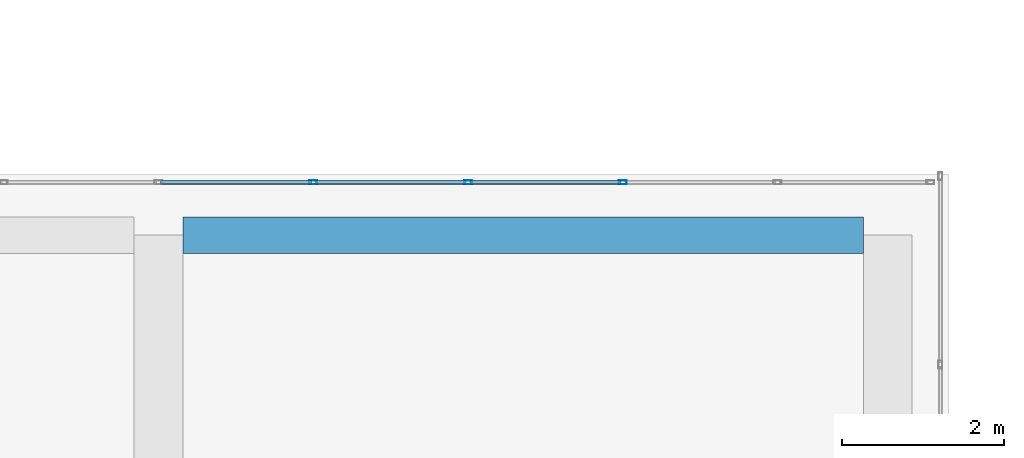
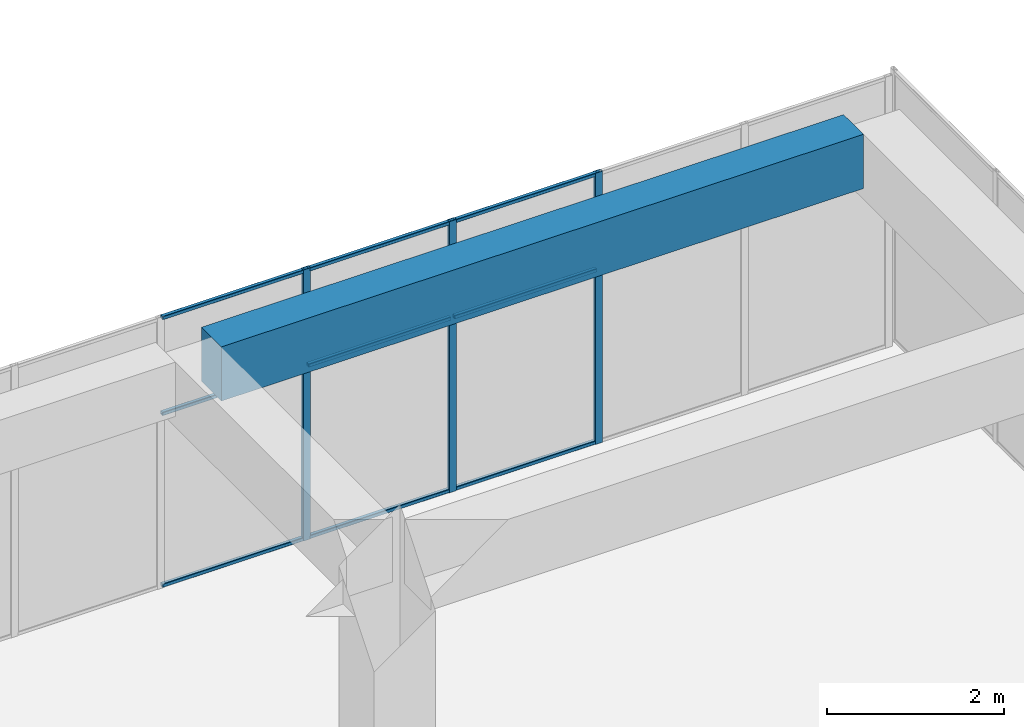
# One storey, part 33 of 66: 12 members, 1 beam, 1 element without a shape of its own.
"""IFC4 building model written with IfcOpenShell, lengths in metres."""

import ifcopenshell
import ifcopenshell.guid

model = None  # the IFC model being written
_history = None  # IfcOwnerHistory: only IFC2X3 demands one
_inside = {}  # id of a spatial element -> (the spatial element, [elements in it])
_under = {}  # id of a project, library or spatial element -> (it, [spatial elements below it])
_declared = {}  # id of a project -> (the project, [libraries it declares])
_typed = {}  # id of a type object -> (the type object, [elements of that type])
_made_of = {}  # id of a material, layer set ... -> (it, [elements and type objects made of it])


def new_model(schema):
    """Start an empty IFC model of exactly this schema.

    Asked for "IFC4X3", IfcOpenShell would pick the latest addendum, in which some entities
    have other attributes; the version numbers below select the first issue.
    IFC2X3 requires an IfcOwnerHistory on every rooted entity: one is made here for all.
    """
    global model, _history
    if schema == "IFC4X3":
        model = ifcopenshell.file(schema_version=(4, 3, 0, 0))
    else:
        model = ifcopenshell.file(schema=schema)
    _inside.clear()
    _under.clear()
    _declared.clear()
    _typed.clear()
    _made_of.clear()
    _history = None
    if model.schema == "IFC2X3":
        org = make("IfcOrganization", Name="unknown")
        user = make(
            "IfcPersonAndOrganization",
            ThePerson=make("IfcPerson", FamilyName="unknown"),
            TheOrganization=org,
        )
        app = make(
            "IfcApplication",
            ApplicationDeveloper=org,
            Version="unknown",
            ApplicationFullName="unknown",
            ApplicationIdentifier="unknown",
        )
        _history = make(
            "IfcOwnerHistory",
            OwningUser=user,
            OwningApplication=app,
            ChangeAction="ADDED",
            CreationDate=0,
        )
    return model


def make(cls, **values):
    """One entity of the class cls with the attributes given. An attribute that is None is left unset."""
    return model.create_entity(
        cls, **{name: value for name, value in values.items() if value is not None}
    )


def rooted(cls, **values):
    """An entity with a GlobalId (a new one), such as an element, a storey or a relation."""
    return make(cls, GlobalId=ifcopenshell.guid.new(), OwnerHistory=_history, **values)


def si_unit(unit_type, name, prefix=None):
    """IfcSIUnit, for example si_unit("LENGTHUNIT", "METRE", prefix="MILLI")."""
    return make("IfcSIUnit", UnitType=unit_type, Prefix=prefix, Name=name)


def assignment(units):
    """IfcUnitAssignment: the units of a project."""
    return None if units is None else make("IfcUnitAssignment", Units=units)


def point(xyz):
    """IfcCartesianPoint."""
    return None if xyz is None else make("IfcCartesianPoint", Coordinates=xyz)


def direction(xyz):
    """IfcDirection."""
    return None if xyz is None else make("IfcDirection", DirectionRatios=xyz)


def frame(location, z_axis=None, x_axis=None):
    """IfcAxis2Placement3D, a coordinate frame: its origin and axes. An axis left out is left unset."""
    return make(
        "IfcAxis2Placement3D",
        Location=point(location),
        Axis=direction(z_axis),
        RefDirection=direction(x_axis),
    )


def frame_2d(location, x_axis=None):
    """IfcAxis2Placement2D, a coordinate frame in the plane: its origin and x axis."""
    return make(
        "IfcAxis2Placement2D", Location=point(location), RefDirection=direction(x_axis)
    )


def origin():
    """The frame at (0, 0, 0) with its axes left unset."""
    return frame((0.0, 0.0, 0.0))


def origin_2d():
    """The frame at (0, 0) in the plane with its x axis left unset."""
    return frame_2d((0.0, 0.0))


def place(relative_to, where):
    """IfcLocalPlacement: puts the frame where relative to a parent placement (None: the world)."""
    return make(
        "IfcLocalPlacement", PlacementRelTo=relative_to, RelativePlacement=where
    )


def context(
    kind, dimensions, precision=None, world=None, true_north=None, identifier=None
):
    """IfcGeometricRepresentationContext, for example the 3D "Model" context."""
    return make(
        "IfcGeometricRepresentationContext",
        ContextIdentifier=identifier,
        ContextType=kind,
        CoordinateSpaceDimension=dimensions,
        Precision=precision,
        WorldCoordinateSystem=world,
        TrueNorth=true_north,
    )


def subcontext(parent, identifier, kind, view, scale=None):
    """IfcGeometricRepresentationSubContext, for example "Body" below "Model"."""
    return make(
        "IfcGeometricRepresentationSubContext",
        ContextIdentifier=identifier,
        ContextType=kind,
        ParentContext=parent,
        TargetScale=scale,
        TargetView=view,
    )


def project(units=None, contexts=None):
    """IfcProject with its units and contexts."""
    return rooted(
        "IfcProject",
        Name="project",
        RepresentationContexts=contexts,
        UnitsInContext=assignment(units),
    )


def spatial(cls, under=None, at=None, **own):
    """A site, building, storey or space (cls), placed at a placement, below another one or the project."""
    s = rooted(cls, ObjectPlacement=at, **own)
    if under is not None:
        _under.setdefault(under.id(), (under, []))[1].append(s)
    return s


def profile(cls, at=None, kind="AREA", **sizes):
    """A parametric profile (cls). Its sizes go by their IFC names, for example OverallWidth=200.0."""
    return make(cls, ProfileType=kind, Position=at, **sizes)


def rectangle(**sizes):
    """IfcRectangleProfileDef."""
    return profile("IfcRectangleProfileDef", **sizes)


def hollow_rectangle(**sizes):
    """IfcRectangleHollowProfileDef."""
    return profile("IfcRectangleHollowProfileDef", **sizes)


def extrude(swept, where, along, depth):
    """IfcExtrudedAreaSolid: the profile swept, set in the frame where, extruded along a direction by depth."""
    return make(
        "IfcExtrudedAreaSolid",
        SweptArea=swept,
        Position=where,
        ExtrudedDirection=direction(along),
        Depth=depth,
    )


def shape(context_of_items, identifier, shape_type, items):
    """IfcShapeRepresentation: the items that make up one representation, for example the "Body"."""
    return make(
        "IfcShapeRepresentation",
        ContextOfItems=context_of_items,
        RepresentationIdentifier=identifier,
        RepresentationType=shape_type,
        Items=items,
    )


def material(Name=None, Category=None):
    """IfcMaterial."""
    return make("IfcMaterial", Name=Name, Category=Category)


def layer(
    of_material, thickness, ventilated=None, Name=None, Category=None, Priority=None
):
    """IfcMaterialLayer: one layer of a wall or slab, of a material (None: an air gap)."""
    return make(
        "IfcMaterialLayer",
        Material=of_material,
        LayerThickness=thickness,
        IsVentilated=ventilated,
        Name=Name,
        Category=Category,
        Priority=Priority,
    )


def layer_set(layers, Name=None):
    """IfcMaterialLayerSet."""
    return make("IfcMaterialLayerSet", MaterialLayers=layers, LayerSetName=Name)


def material_profile(
    of_material, cross_section, Name=None, Category=None, Priority=None
):
    """IfcMaterialProfile: a cross section and its material."""
    return make(
        "IfcMaterialProfile",
        Name=Name,
        Material=of_material,
        Profile=cross_section,
        Priority=Priority,
        Category=Category,
    )


def profile_set(profiles, Name=None, composite=None):
    """IfcMaterialProfileSet."""
    return make(
        "IfcMaterialProfileSet",
        Name=Name,
        MaterialProfiles=profiles,
        CompositeProfile=composite,
    )


def made_of(thing, what):
    """Note that an element or type object is made of a material, layer set ...; save() writes the relation."""
    if what is not None:
        _made_of.setdefault(what.id(), (what, []))[1].append(thing)
    return thing


def type_object(cls, material=None, **own):
    """A type object (cls), such as IfcWallType, which elements share."""
    return made_of(rooted(cls, **own), material)


def element(
    cls,
    number,
    at=None,
    inside=None,
    cuts=None,
    type_object=None,
    material=None,
    context=None,
    identifier="Body",
    shape_type=None,
    held_by="IfcProductDefinitionShape",
    body=None,
    shapes=None,
    **own,
):
    """One element of the class cls, such as IfcWall. Its Tag is "e" and its number.

    at: its placement. inside: the storey or other place that contains it. cuts: it is an
    opening in that element (IfcRelVoidsElement). A single representation is given by context,
    identifier, shape_type and body (its items); several are given by shapes. held_by: the class
    of the entity that holds the representations. save() writes the other relations.
    """
    e = rooted(cls, Tag="e%d" % number, ObjectPlacement=at, **own)
    if body is not None:
        shapes = [shape(context, identifier, shape_type, body)]
    if shapes is not None:
        e.Representation = make(held_by, Representations=shapes)
    if inside is not None:
        _inside.setdefault(inside.id(), (inside, []))[1].append(e)
    if cuts is not None:
        rooted(
            "IfcRelVoidsElement", RelatingBuildingElement=cuts, RelatedOpeningElement=e
        )
    if type_object is not None:
        _typed.setdefault(type_object.id(), (type_object, []))[1].append(e)
    return made_of(e, material)


def aggregate(whole, parts):
    """IfcRelAggregates: a whole, such as a stair, and the parts it consists of."""
    return rooted("IfcRelAggregates", RelatingObject=whole, RelatedObjects=parts)


def save(model, path):
    """Write the relations noted so far, then the file.

    IfcRelAggregates (storeys below a building ...), IfcRelContainedInSpatialStructure (elements
    in a storey), IfcRelDefinesByType, IfcRelAssociatesMaterial and IfcRelDeclares: one each for
    every whole, place, type object, material and project.
    """
    for whole, parts in _under.values():
        aggregate(whole, parts)
    for where, things in _inside.values():
        rooted(
            "IfcRelContainedInSpatialStructure",
            RelatedElements=things,
            RelatingStructure=where,
        )
    for kind, things in _typed.values():
        rooted("IfcRelDefinesByType", RelatedObjects=things, RelatingType=kind)
    for what, things in _made_of.values():
        rooted("IfcRelAssociatesMaterial", RelatedObjects=things, RelatingMaterial=what)
    for by, libraries in _declared.values():
        rooted("IfcRelDeclares", RelatingContext=by, RelatedDefinitions=libraries)
    model.write(path)


model = new_model("IFC4")

# Units and contexts
model_context = context("Model", 3, precision=1e-05, world=origin(), true_north=direction((0.0, 1.0)))
body_context = subcontext(model_context, "Body", "Model", "MODEL_VIEW")
ifc_project = project(units=[si_unit("LENGTHUNIT", "METRE"), si_unit("AREAUNIT", "SQUARE_METRE"), si_unit("VOLUMEUNIT", "CUBIC_METRE"), si_unit("PLANEANGLEUNIT", "RADIAN"), si_unit("MASSUNIT", "GRAM", prefix="KILO")], contexts=[model_context])

# Site, building, storey
site_placement = place(None, origin())
site = spatial("IfcSite", under=ifc_project, at=site_placement, CompositionType="ELEMENT")
building_placement = place(site_placement, origin())
building = spatial("IfcBuilding", under=site, at=building_placement, Name="Tuart Plaza Theatre", CompositionType="ELEMENT")
storey_placement = place(building_placement, frame((0.0, 0.0, 5.5)))
storey = spatial("IfcBuildingStorey", under=building, at=storey_placement, Name="L01", CompositionType="ELEMENT", Elevation=5.5)

# Beam
ifc_material_1 = material(Name="Concrete N40 (40 MPa)", Category="concrete")
ifc_material_profile_1 = material_profile(ifc_material_1, rectangle(XDim=0.449951171875, YDim=0.75, at=origin_2d()), Name="BEAM 450x750 Concrete N40 (40 MPa)")
ifc_profile_set_1 = profile_set([ifc_material_profile_1], Name="Concrete N40 (40 MPa)")
beam_type = type_object("IfcBeamType", Name="BEAM 450x750 Concrete N40 (40 MPa)", PredefinedType="BEAM", material=ifc_profile_set_1)
beam_placement = place(storey_placement, frame((123.300048828125, 96.5, 3.375), z_axis=(1.0, 0.0, 0.0), x_axis=(0.0, 1.0, 0.0)))
element("IfcBeam", 1, at=beam_placement, inside=storey, type_object=beam_type, Name="RB180", PredefinedType="BEAM", context=body_context, shape_type="SweptSolid", body=[
    extrude(rectangle(XDim=0.449951171875, YDim=0.75, at=origin_2d()), origin(), (0.0, 0.0, 1.0), 8.39990234375),
])

# Curtain wall, members
ifc_material_2 = material(Name="Aluminium and glass", Category="aluminium")
ifc_layer = layer(ifc_material_2, 0.10009765625)
ifc_layer_set = layer_set([ifc_layer], Name="CURTAIN WALL 2000 module")
curtain_wall_type = type_object("IfcCurtainWallType", Name="CURTAIN WALL 2000 module", PredefinedType="NOTDEFINED", material=ifc_layer_set)
curtain_wall_placement = place(storey_placement, origin())
curtain_wall = element("IfcCurtainWall", 2, at=curtain_wall_placement, inside=storey, type_object=curtain_wall_type, Name="CW72", PredefinedType="NOTDEFINED")
ifc_material_3 = material(Name="Aluminium 6063-T5", Category="aluminium")
ifc_material_profile_2 = material_profile(ifc_material_3, hollow_rectangle(XDim=0.050048828125, YDim=0.10009765625, WallThickness=0.00390625, InnerFilletRadius=0.00390625, OuterFilletRadius=0.008056640625, at=origin_2d()), Name="RHS 100x50x4")
ifc_profile_set_2 = profile_set([ifc_material_profile_2], Name="Aluminium 6063-T5")
member_type_1 = type_object("IfcMemberType", Name="MULLION RHS 100x50x4", PredefinedType="MULLION", material=ifc_profile_set_2)
member_1_placement = place(storey_placement, frame((128.72998046875, 97.14990234375, 0.0), z_axis=(0.0, 0.0, 1.0), x_axis=(0.0, -1.0, 0.0)))
member_1 = element("IfcMember", 3, at=member_1_placement, type_object=member_type_1, Name="CW72 mullion 3", PredefinedType="MULLION", context=body_context, shape_type="SweptSolid", body=[
    extrude(hollow_rectangle(XDim=0.050048828125, YDim=0.10009765625, WallThickness=0.00390625, InnerFilletRadius=0.00390625, OuterFilletRadius=0.008056640625, at=origin_2d()), origin(), (0.0, 0.0, 1.0), 3.75),
])
member_2_placement = place(storey_placement, frame((126.820068359375, 97.14990234375, 0.0), z_axis=(0.0, 0.0, 1.0), x_axis=(0.0, -1.0, 0.0)))
member_2 = element("IfcMember", 4, at=member_2_placement, type_object=member_type_1, Name="CW72 mullion 4", PredefinedType="MULLION", context=body_context, shape_type="SweptSolid", body=[
    extrude(hollow_rectangle(XDim=0.050048828125, YDim=0.10009765625, WallThickness=0.00390625, InnerFilletRadius=0.00390625, OuterFilletRadius=0.008056640625, at=origin_2d()), origin(), (0.0, 0.0, 1.0), 3.75),
])
member_3_placement = place(storey_placement, frame((124.909912109375, 97.14990234375, 0.0), z_axis=(0.0, 0.0, 1.0), x_axis=(0.0, -1.0, 0.0)))
member_3 = element("IfcMember", 5, at=member_3_placement, type_object=member_type_1, Name="CW72 mullion 5", PredefinedType="MULLION", context=body_context, shape_type="SweptSolid", body=[
    extrude(hollow_rectangle(XDim=0.050048828125, YDim=0.10009765625, WallThickness=0.00390625, InnerFilletRadius=0.00390625, OuterFilletRadius=0.008056640625, at=origin_2d()), origin(), (0.0, 0.0, 1.0), 3.75),
])
ifc_material_4 = material(Name="Aluminium 6063-T5", Category="aluminium")
ifc_material_profile_3 = material_profile(ifc_material_4, hollow_rectangle(XDim=0.050048828125, YDim=0.050048828125, WallThickness=0.00390625, InnerFilletRadius=0.00390625, OuterFilletRadius=0.008056640625, at=origin_2d()), Name="RHS 50x50x4")
ifc_profile_set_3 = profile_set([ifc_material_profile_3], Name="Aluminium 6063-T5")
member_type_2 = type_object("IfcMemberType", Name="TRANSOM RHS 50x50x4", PredefinedType="USERDEFINED", material=ifc_profile_set_3)
member_4_placement = place(storey_placement, frame((128.705078125, 97.14990234375, 0.02490234375), z_axis=(-1.0, 0.0, 0.0), x_axis=(0.0, -1.0, 0.0)))
member_4 = element("IfcMember", 6, at=member_4_placement, type_object=member_type_2, Name="CW72 transom 3.1", ObjectType="TRANSOM", PredefinedType="USERDEFINED", context=body_context, shape_type="SweptSolid", body=[
    extrude(hollow_rectangle(XDim=0.050048828125, YDim=0.050048828125, WallThickness=0.00390625, InnerFilletRadius=0.00390625, OuterFilletRadius=0.008056640625, at=origin_2d()), origin(), (0.0, 0.0, 1.0), 1.860107421875),
])
member_5_placement = place(storey_placement, frame((128.705078125, 97.14990234375, 2.39990234375), z_axis=(-1.0, 0.0, 0.0), x_axis=(0.0, -1.0, 0.0)))
member_5 = element("IfcMember", 7, at=member_5_placement, type_object=member_type_2, Name="CW72 transom 3.2", ObjectType="TRANSOM", PredefinedType="USERDEFINED", context=body_context, shape_type="SweptSolid", body=[
    extrude(hollow_rectangle(XDim=0.050048828125, YDim=0.050048828125, WallThickness=0.00390625, InnerFilletRadius=0.00390625, OuterFilletRadius=0.008056640625, at=origin_2d()), origin(), (0.0, 0.0, 1.0), 1.860107421875),
])
member_6_placement = place(storey_placement, frame((128.705078125, 97.14990234375, 3.72509765625), z_axis=(-1.0, 0.0, 0.0), x_axis=(0.0, -1.0, 0.0)))
member_6 = element("IfcMember", 8, at=member_6_placement, type_object=member_type_2, Name="CW72 transom 3.3", ObjectType="TRANSOM", PredefinedType="USERDEFINED", context=body_context, shape_type="SweptSolid", body=[
    extrude(hollow_rectangle(XDim=0.050048828125, YDim=0.050048828125, WallThickness=0.00390625, InnerFilletRadius=0.00390625, OuterFilletRadius=0.008056640625, at=origin_2d()), origin(), (0.0, 0.0, 1.0), 1.860107421875),
])
member_7_placement = place(storey_placement, frame((126.794921875, 97.14990234375, 0.02490234375), z_axis=(-1.0, 0.0, 0.0), x_axis=(0.0, -1.0, 0.0)))
member_7 = element("IfcMember", 9, at=member_7_placement, type_object=member_type_2, Name="CW72 transom 4.1", ObjectType="TRANSOM", PredefinedType="USERDEFINED", context=body_context, shape_type="SweptSolid", body=[
    extrude(hollow_rectangle(XDim=0.050048828125, YDim=0.050048828125, WallThickness=0.00390625, InnerFilletRadius=0.00390625, OuterFilletRadius=0.008056640625, at=origin_2d()), origin(), (0.0, 0.0, 1.0), 1.85986328125),
])
member_8_placement = place(storey_placement, frame((126.794921875, 97.14990234375, 2.39990234375), z_axis=(-1.0, 0.0, 0.0), x_axis=(0.0, -1.0, 0.0)))
member_8 = element("IfcMember", 10, at=member_8_placement, type_object=member_type_2, Name="CW72 transom 4.2", ObjectType="TRANSOM", PredefinedType="USERDEFINED", context=body_context, shape_type="SweptSolid", body=[
    extrude(hollow_rectangle(XDim=0.050048828125, YDim=0.050048828125, WallThickness=0.00390625, InnerFilletRadius=0.00390625, OuterFilletRadius=0.008056640625, at=origin_2d()), origin(), (0.0, 0.0, 1.0), 1.85986328125),
])
member_9_placement = place(storey_placement, frame((126.794921875, 97.14990234375, 3.72509765625), z_axis=(-1.0, 0.0, 0.0), x_axis=(0.0, -1.0, 0.0)))
member_9 = element("IfcMember", 11, at=member_9_placement, type_object=member_type_2, Name="CW72 transom 4.3", ObjectType="TRANSOM", PredefinedType="USERDEFINED", context=body_context, shape_type="SweptSolid", body=[
    extrude(hollow_rectangle(XDim=0.050048828125, YDim=0.050048828125, WallThickness=0.00390625, InnerFilletRadius=0.00390625, OuterFilletRadius=0.008056640625, at=origin_2d()), origin(), (0.0, 0.0, 1.0), 1.85986328125),
])
member_10_placement = place(storey_placement, frame((124.885009765625, 97.14990234375, 0.02490234375), z_axis=(-1.0, 0.0, 0.0), x_axis=(0.0, -1.0, 0.0)))
member_10 = element("IfcMember", 12, at=member_10_placement, type_object=member_type_2, Name="CW72 transom 5.1", ObjectType="TRANSOM", PredefinedType="USERDEFINED", context=body_context, shape_type="SweptSolid", body=[
    extrude(hollow_rectangle(XDim=0.050048828125, YDim=0.050048828125, WallThickness=0.00390625, InnerFilletRadius=0.00390625, OuterFilletRadius=0.008056640625, at=origin_2d()), origin(), (0.0, 0.0, 1.0), 1.860107421875),
])
member_11_placement = place(storey_placement, frame((124.885009765625, 97.14990234375, 2.39990234375), z_axis=(-1.0, 0.0, 0.0), x_axis=(0.0, -1.0, 0.0)))
member_11 = element("IfcMember", 13, at=member_11_placement, type_object=member_type_2, Name="CW72 transom 5.2", ObjectType="TRANSOM", PredefinedType="USERDEFINED", context=body_context, shape_type="SweptSolid", body=[
    extrude(hollow_rectangle(XDim=0.050048828125, YDim=0.050048828125, WallThickness=0.00390625, InnerFilletRadius=0.00390625, OuterFilletRadius=0.008056640625, at=origin_2d()), origin(), (0.0, 0.0, 1.0), 1.860107421875),
])
member_12_placement = place(storey_placement, frame((124.885009765625, 97.14990234375, 3.72509765625), z_axis=(-1.0, 0.0, 0.0), x_axis=(0.0, -1.0, 0.0)))
member_12 = element("IfcMember", 14, at=member_12_placement, type_object=member_type_2, Name="CW72 transom 5.3", ObjectType="TRANSOM", PredefinedType="USERDEFINED", context=body_context, shape_type="SweptSolid", body=[
    extrude(hollow_rectangle(XDim=0.050048828125, YDim=0.050048828125, WallThickness=0.00390625, InnerFilletRadius=0.00390625, OuterFilletRadius=0.008056640625, at=origin_2d()), origin(), (0.0, 0.0, 1.0), 1.860107421875),
])
aggregate(curtain_wall, [member_1, member_2, member_3, member_4, member_5, member_6, member_7, member_8, member_9, member_10, member_11, member_12])

save(model, "model.ifc")
